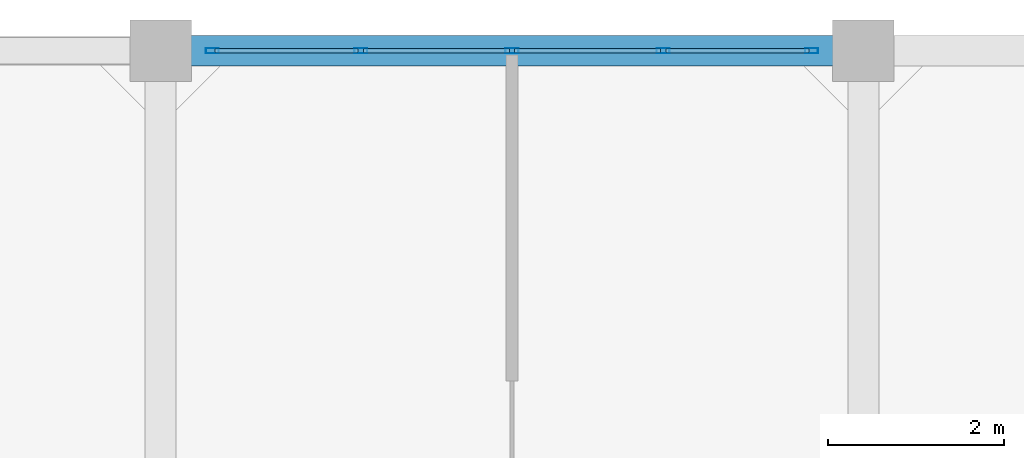
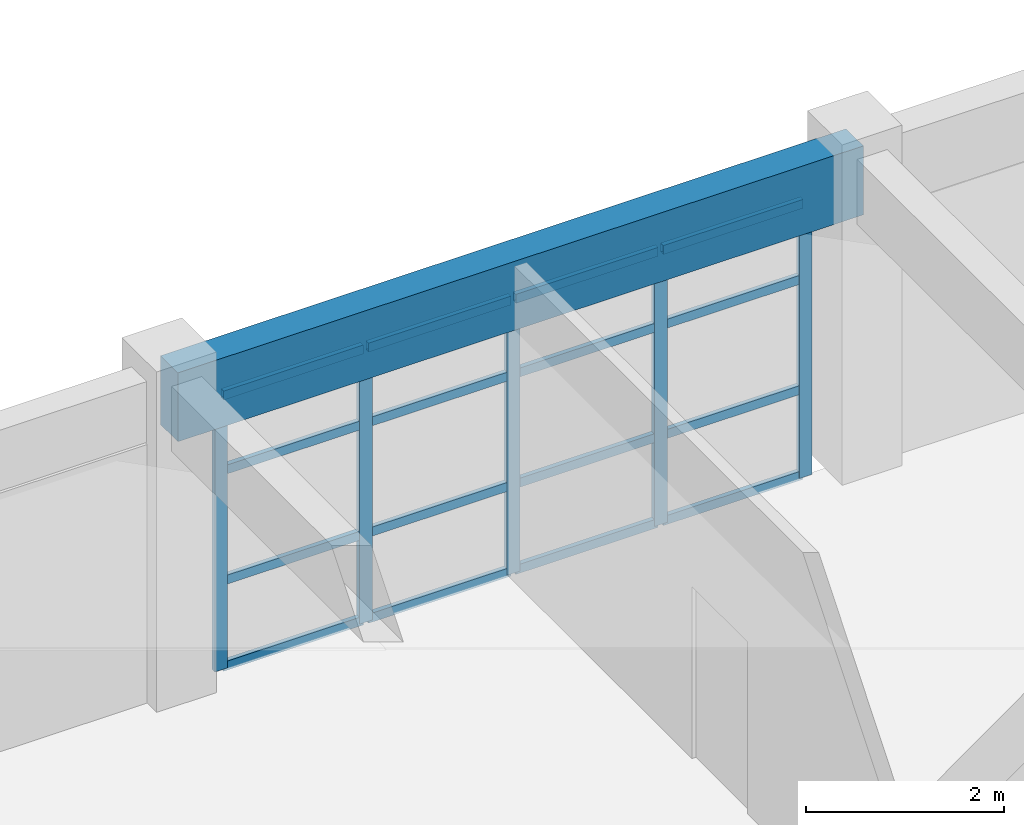
# One storey, part 16 of 27: 21 members, 1 beam, 1 element without a shape of its own.
"""IFC4 building model written with IfcOpenShell, lengths in metres."""

from ifc_helpers import new_model, si_unit, direction, frame, origin, origin_2d, place, context, subcontext, project, spatial, rectangle, hollow_rectangle, extrude, material, layer, layer_set, material_profile, profile_set, type_object, element, aggregate, save


model = new_model("IFC4")

# Units and contexts
model_context = context("Model", 3, precision=1e-05, world=origin(), true_north=direction((0.0, 1.0)))
body_context = subcontext(model_context, "Body", "Model", "MODEL_VIEW")
ifc_project = project(units=[si_unit("LENGTHUNIT", "METRE"), si_unit("AREAUNIT", "SQUARE_METRE"), si_unit("VOLUMEUNIT", "CUBIC_METRE"), si_unit("PLANEANGLEUNIT", "RADIAN"), si_unit("MASSUNIT", "GRAM", prefix="KILO")], contexts=[model_context])

# Site, building, storey
site_placement = place(None, origin())
site = spatial("IfcSite", under=ifc_project, at=site_placement, CompositionType="ELEMENT")
building_placement = place(site_placement, origin())
building = spatial("IfcBuilding", under=site, at=building_placement, Name="Canggui Botanical Conservatory", CompositionType="ELEMENT")
storey_placement = place(building_placement, frame((0.0, 0.0, 36.0)))
storey = spatial("IfcBuildingStorey", under=building, at=storey_placement, Name="L09", CompositionType="ELEMENT", Elevation=36.0)

# Beam
ifc_material_1 = material(Name="Concrete C35", Category="concrete")
ifc_material_profile_1 = material_profile(ifc_material_1, rectangle(XDim=0.35009765625, YDim=0.85009765625, at=origin_2d()), Name="RB 350x850")
ifc_profile_set_1 = profile_set([ifc_material_profile_1], Name="Concrete C35")
beam_type = type_object("IfcBeamType", Name="BM-KL14", PredefinedType="BEAM", material=ifc_profile_set_1)
beam_placement = place(storey_placement, frame((154.0, 74.0, 3.534912109375), z_axis=(1.0, 0.0, 0.0), x_axis=(0.0, 1.0, 0.0)))
element("IfcBeam", 1, at=beam_placement, inside=storey, type_object=beam_type, Name="Frame Girder L09 Y74-2", PredefinedType="BEAM", context=body_context, shape_type="SweptSolid", body=[
    extrude(rectangle(XDim=0.35009765625, YDim=0.85009765625, at=origin_2d()), origin(), (0.0, 0.0, 1.0), 8.0),
])

# Curtain wall, members
ifc_material_2 = material(Name="Thermally Broken Aluminium", Category="aluminium")
ifc_layer = layer(ifc_material_2, 0.14990234375, Name="Thermally Broken Aluminium", Category="aluminium")
ifc_layer_set = layer_set([ifc_layer], Name="Thermally Broken Aluminium")
curtain_wall_type = type_object("IfcCurtainWallType", Name="CW-UNIT-C", PredefinedType="USERDEFINED", material=ifc_layer_set)
curtain_wall_placement = place(storey_placement, origin())
curtain_wall = element("IfcCurtainWall", 2, at=curtain_wall_placement, inside=storey, type_object=curtain_wall_type, Name="Facade Curtain Wall CW-TWR-L09-13", ObjectType="UNITISED CURTAIN WALL", PredefinedType="USERDEFINED")
ifc_material_profile_2 = material_profile(ifc_material_2, hollow_rectangle(XDim=0.06005859375, YDim=0.14990234375, WallThickness=0.00341796875, at=origin_2d()), Name="CWM 60x150x3.5")
ifc_profile_set_2 = profile_set([ifc_material_profile_2], Name="Thermally Broken Aluminium")
member_type_1 = type_object("IfcMemberType", Name="CWM-03", PredefinedType="MULLION", material=ifc_profile_set_2)
member_1_placement = place(storey_placement, frame((154.590087890625, 74.0, 0.0), z_axis=(0.0, 0.0, 1.0), x_axis=(0.0, 1.0, 0.0)))
member_1 = element("IfcMember", 3, at=member_1_placement, type_object=member_type_1, Name="CW-03 mullion 1", PredefinedType="MULLION", context=body_context, shape_type="SweptSolid", body=[
    extrude(hollow_rectangle(XDim=0.06005859375, YDim=0.14990234375, WallThickness=0.00341796875, at=origin_2d()), origin(), (0.0, 0.0, 1.0), 3.39990234375),
])
member_2_placement = place(storey_placement, frame((156.280029296875, 74.0, 0.0), z_axis=(0.0, 0.0, 1.0), x_axis=(0.0, 1.0, 0.0)))
member_2 = element("IfcMember", 4, at=member_2_placement, type_object=member_type_1, Name="CW-03 mullion 2", PredefinedType="MULLION", context=body_context, shape_type="SweptSolid", body=[
    extrude(hollow_rectangle(XDim=0.06005859375, YDim=0.14990234375, WallThickness=0.00341796875, at=origin_2d()), origin(), (0.0, 0.0, 1.0), 3.39990234375),
])
member_3_placement = place(storey_placement, frame((158.0, 74.0, 0.0), z_axis=(0.0, 0.0, 1.0), x_axis=(0.0, 1.0, 0.0)))
member_3 = element("IfcMember", 5, at=member_3_placement, type_object=member_type_1, Name="CW-03 mullion 3", PredefinedType="MULLION", context=body_context, shape_type="SweptSolid", body=[
    extrude(hollow_rectangle(XDim=0.06005859375, YDim=0.14990234375, WallThickness=0.00341796875, at=origin_2d()), origin(), (0.0, 0.0, 1.0), 3.39990234375),
])
member_4_placement = place(storey_placement, frame((159.719970703125, 74.0, 0.0), z_axis=(0.0, 0.0, 1.0), x_axis=(0.0, 1.0, 0.0)))
member_4 = element("IfcMember", 6, at=member_4_placement, type_object=member_type_1, Name="CW-03 mullion 4", PredefinedType="MULLION", context=body_context, shape_type="SweptSolid", body=[
    extrude(hollow_rectangle(XDim=0.06005859375, YDim=0.14990234375, WallThickness=0.00341796875, at=origin_2d()), origin(), (0.0, 0.0, 1.0), 3.39990234375),
])
member_5_placement = place(storey_placement, frame((161.409912109375, 74.0, 0.0), z_axis=(0.0, 0.0, 1.0), x_axis=(0.0, 1.0, 0.0)))
member_5 = element("IfcMember", 7, at=member_5_placement, type_object=member_type_1, Name="CW-03 mullion 5", PredefinedType="MULLION", context=body_context, shape_type="SweptSolid", body=[
    extrude(hollow_rectangle(XDim=0.06005859375, YDim=0.14990234375, WallThickness=0.00341796875, at=origin_2d()), origin(), (0.0, 0.0, 1.0), 3.39990234375),
])
ifc_material_profile_3 = material_profile(ifc_material_2, hollow_rectangle(XDim=0.054931640625, YDim=0.110107421875, WallThickness=0.0029296875, at=origin_2d()), Name="CWT 55x110x3")
ifc_profile_set_3 = profile_set([ifc_material_profile_3], Name="Thermally Broken Aluminium")
member_type_2 = type_object("IfcMemberType", Name="CWT-03", PredefinedType="USERDEFINED", material=ifc_profile_set_3)
member_6_placement = place(storey_placement, frame((154.6201171875, 74.0, 0.027587890625), z_axis=(1.0, 0.0, 0.0), x_axis=(0.0, 1.0, 0.0)))
member_6 = element("IfcMember", 8, at=member_6_placement, type_object=member_type_2, Name="CW-03 transom 1.1", ObjectType="TRANSOM", PredefinedType="USERDEFINED", context=body_context, shape_type="SweptSolid", body=[
    extrude(hollow_rectangle(XDim=0.054931640625, YDim=0.110107421875, WallThickness=0.0029296875, at=origin_2d()), origin(), (0.0, 0.0, 1.0), 1.6298828125),
])
member_7_placement = place(storey_placement, frame((154.6201171875, 74.0, 1.087890625), z_axis=(1.0, 0.0, 0.0), x_axis=(0.0, 1.0, 0.0)))
member_7 = element("IfcMember", 9, at=member_7_placement, type_object=member_type_2, Name="CW-03 transom 1.2", ObjectType="TRANSOM", PredefinedType="USERDEFINED", context=body_context, shape_type="SweptSolid", body=[
    extrude(hollow_rectangle(XDim=0.054931640625, YDim=0.110107421875, WallThickness=0.0029296875, at=origin_2d()), origin(), (0.0, 0.0, 1.0), 1.6298828125),
])
member_8_placement = place(storey_placement, frame((154.6201171875, 74.0, 2.447998046875), z_axis=(1.0, 0.0, 0.0), x_axis=(0.0, 1.0, 0.0)))
member_8 = element("IfcMember", 10, at=member_8_placement, type_object=member_type_2, Name="CW-03 transom 1.3", ObjectType="TRANSOM", PredefinedType="USERDEFINED", context=body_context, shape_type="SweptSolid", body=[
    extrude(hollow_rectangle(XDim=0.054931640625, YDim=0.110107421875, WallThickness=0.0029296875, at=origin_2d()), origin(), (0.0, 0.0, 1.0), 1.6298828125),
])
member_9_placement = place(storey_placement, frame((154.6201171875, 74.0, 3.37255859375), z_axis=(1.0, 0.0, 0.0), x_axis=(0.0, 1.0, 0.0)))
member_9 = element("IfcMember", 11, at=member_9_placement, type_object=member_type_2, Name="CW-03 transom 1.4", ObjectType="TRANSOM", PredefinedType="USERDEFINED", context=body_context, shape_type="SweptSolid", body=[
    extrude(hollow_rectangle(XDim=0.054931640625, YDim=0.110107421875, WallThickness=0.0029296875, at=origin_2d()), origin(), (0.0, 0.0, 1.0), 1.6298828125),
])
member_10_placement = place(storey_placement, frame((156.31005859375, 74.0, 0.027587890625), z_axis=(1.0, 0.0, 0.0), x_axis=(0.0, 1.0, 0.0)))
member_10 = element("IfcMember", 12, at=member_10_placement, type_object=member_type_2, Name="CW-03 transom 2.1", ObjectType="TRANSOM", PredefinedType="USERDEFINED", context=body_context, shape_type="SweptSolid", body=[
    extrude(hollow_rectangle(XDim=0.054931640625, YDim=0.110107421875, WallThickness=0.0029296875, at=origin_2d()), origin(), (0.0, 0.0, 1.0), 1.659912109375),
])
member_11_placement = place(storey_placement, frame((156.31005859375, 74.0, 1.087890625), z_axis=(1.0, 0.0, 0.0), x_axis=(0.0, 1.0, 0.0)))
member_11 = element("IfcMember", 13, at=member_11_placement, type_object=member_type_2, Name="CW-03 transom 2.2", ObjectType="TRANSOM", PredefinedType="USERDEFINED", context=body_context, shape_type="SweptSolid", body=[
    extrude(hollow_rectangle(XDim=0.054931640625, YDim=0.110107421875, WallThickness=0.0029296875, at=origin_2d()), origin(), (0.0, 0.0, 1.0), 1.659912109375),
])
member_12_placement = place(storey_placement, frame((156.31005859375, 74.0, 2.447998046875), z_axis=(1.0, 0.0, 0.0), x_axis=(0.0, 1.0, 0.0)))
member_12 = element("IfcMember", 14, at=member_12_placement, type_object=member_type_2, Name="CW-03 transom 2.3", ObjectType="TRANSOM", PredefinedType="USERDEFINED", context=body_context, shape_type="SweptSolid", body=[
    extrude(hollow_rectangle(XDim=0.054931640625, YDim=0.110107421875, WallThickness=0.0029296875, at=origin_2d()), origin(), (0.0, 0.0, 1.0), 1.659912109375),
])
member_13_placement = place(storey_placement, frame((156.31005859375, 74.0, 3.37255859375), z_axis=(1.0, 0.0, 0.0), x_axis=(0.0, 1.0, 0.0)))
member_13 = element("IfcMember", 15, at=member_13_placement, type_object=member_type_2, Name="CW-03 transom 2.4", ObjectType="TRANSOM", PredefinedType="USERDEFINED", context=body_context, shape_type="SweptSolid", body=[
    extrude(hollow_rectangle(XDim=0.054931640625, YDim=0.110107421875, WallThickness=0.0029296875, at=origin_2d()), origin(), (0.0, 0.0, 1.0), 1.659912109375),
])
member_14_placement = place(storey_placement, frame((158.030029296875, 74.0, 0.027587890625), z_axis=(1.0, 0.0, 0.0), x_axis=(0.0, 1.0, 0.0)))
member_14 = element("IfcMember", 16, at=member_14_placement, type_object=member_type_2, Name="CW-03 transom 3.1", ObjectType="TRANSOM", PredefinedType="USERDEFINED", context=body_context, shape_type="SweptSolid", body=[
    extrude(hollow_rectangle(XDim=0.054931640625, YDim=0.110107421875, WallThickness=0.0029296875, at=origin_2d()), origin(), (0.0, 0.0, 1.0), 1.659912109375),
])
member_15_placement = place(storey_placement, frame((158.030029296875, 74.0, 1.087890625), z_axis=(1.0, 0.0, 0.0), x_axis=(0.0, 1.0, 0.0)))
member_15 = element("IfcMember", 17, at=member_15_placement, type_object=member_type_2, Name="CW-03 transom 3.2", ObjectType="TRANSOM", PredefinedType="USERDEFINED", context=body_context, shape_type="SweptSolid", body=[
    extrude(hollow_rectangle(XDim=0.054931640625, YDim=0.110107421875, WallThickness=0.0029296875, at=origin_2d()), origin(), (0.0, 0.0, 1.0), 1.659912109375),
])
member_16_placement = place(storey_placement, frame((158.030029296875, 74.0, 2.447998046875), z_axis=(1.0, 0.0, 0.0), x_axis=(0.0, 1.0, 0.0)))
member_16 = element("IfcMember", 18, at=member_16_placement, type_object=member_type_2, Name="CW-03 transom 3.3", ObjectType="TRANSOM", PredefinedType="USERDEFINED", context=body_context, shape_type="SweptSolid", body=[
    extrude(hollow_rectangle(XDim=0.054931640625, YDim=0.110107421875, WallThickness=0.0029296875, at=origin_2d()), origin(), (0.0, 0.0, 1.0), 1.659912109375),
])
member_17_placement = place(storey_placement, frame((158.030029296875, 74.0, 3.37255859375), z_axis=(1.0, 0.0, 0.0), x_axis=(0.0, 1.0, 0.0)))
member_17 = element("IfcMember", 19, at=member_17_placement, type_object=member_type_2, Name="CW-03 transom 3.4", ObjectType="TRANSOM", PredefinedType="USERDEFINED", context=body_context, shape_type="SweptSolid", body=[
    extrude(hollow_rectangle(XDim=0.054931640625, YDim=0.110107421875, WallThickness=0.0029296875, at=origin_2d()), origin(), (0.0, 0.0, 1.0), 1.659912109375),
])
member_18_placement = place(storey_placement, frame((159.75, 74.0, 0.027587890625), z_axis=(1.0, 0.0, 0.0), x_axis=(0.0, 1.0, 0.0)))
member_18 = element("IfcMember", 20, at=member_18_placement, type_object=member_type_2, Name="CW-03 transom 4.1", ObjectType="TRANSOM", PredefinedType="USERDEFINED", context=body_context, shape_type="SweptSolid", body=[
    extrude(hollow_rectangle(XDim=0.054931640625, YDim=0.110107421875, WallThickness=0.0029296875, at=origin_2d()), origin(), (0.0, 0.0, 1.0), 1.6298828125),
])
member_19_placement = place(storey_placement, frame((159.75, 74.0, 1.087890625), z_axis=(1.0, 0.0, 0.0), x_axis=(0.0, 1.0, 0.0)))
member_19 = element("IfcMember", 21, at=member_19_placement, type_object=member_type_2, Name="CW-03 transom 4.2", ObjectType="TRANSOM", PredefinedType="USERDEFINED", context=body_context, shape_type="SweptSolid", body=[
    extrude(hollow_rectangle(XDim=0.054931640625, YDim=0.110107421875, WallThickness=0.0029296875, at=origin_2d()), origin(), (0.0, 0.0, 1.0), 1.6298828125),
])
member_20_placement = place(storey_placement, frame((159.75, 74.0, 2.447998046875), z_axis=(1.0, 0.0, 0.0), x_axis=(0.0, 1.0, 0.0)))
member_20 = element("IfcMember", 22, at=member_20_placement, type_object=member_type_2, Name="CW-03 transom 4.3", ObjectType="TRANSOM", PredefinedType="USERDEFINED", context=body_context, shape_type="SweptSolid", body=[
    extrude(hollow_rectangle(XDim=0.054931640625, YDim=0.110107421875, WallThickness=0.0029296875, at=origin_2d()), origin(), (0.0, 0.0, 1.0), 1.6298828125),
])
member_21_placement = place(storey_placement, frame((159.75, 74.0, 3.37255859375), z_axis=(1.0, 0.0, 0.0), x_axis=(0.0, 1.0, 0.0)))
member_21 = element("IfcMember", 23, at=member_21_placement, type_object=member_type_2, Name="CW-03 transom 4.4", ObjectType="TRANSOM", PredefinedType="USERDEFINED", context=body_context, shape_type="SweptSolid", body=[
    extrude(hollow_rectangle(XDim=0.054931640625, YDim=0.110107421875, WallThickness=0.0029296875, at=origin_2d()), origin(), (0.0, 0.0, 1.0), 1.6298828125),
])
aggregate(curtain_wall, [member_1, member_2, member_3, member_4, member_5, member_6, member_7, member_8, member_9, member_10, member_11, member_12, member_13, member_14, member_15, member_16, member_17, member_18, member_19, member_20, member_21])

save(model, "model.ifc")
